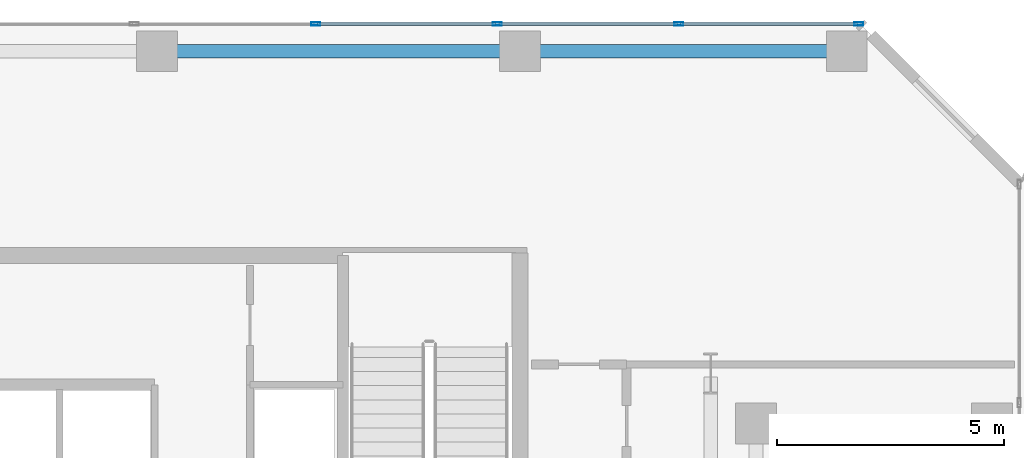
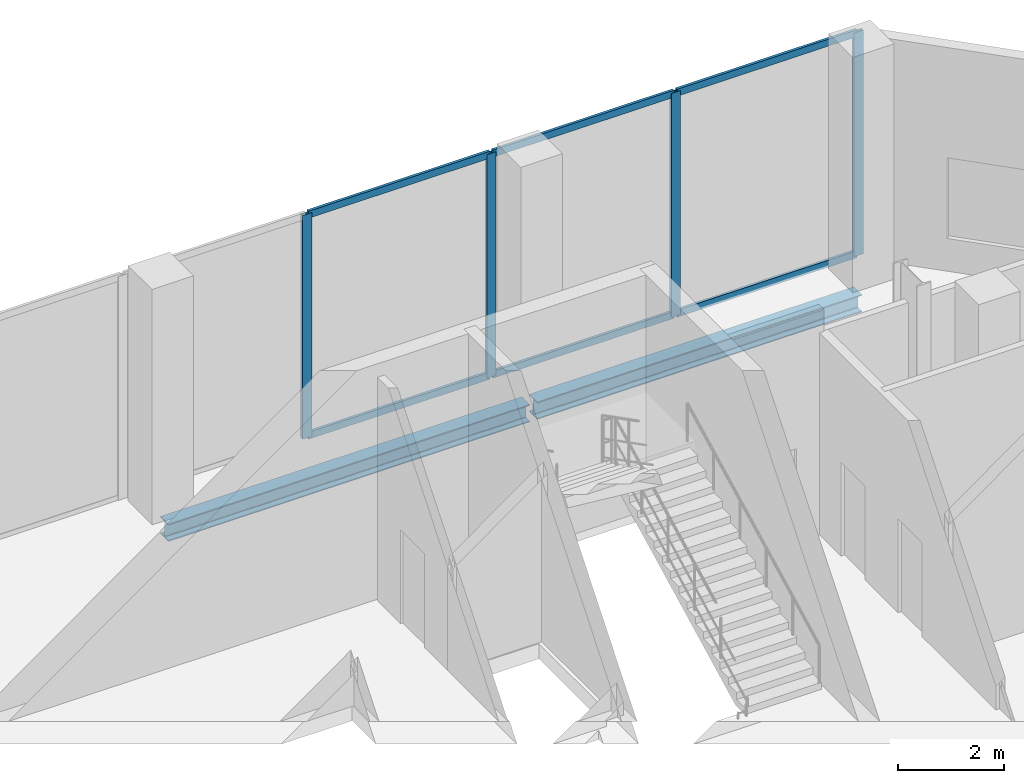
# One storey, part 17 of 24: 10 members, 2 beams, 1 element without a shape of its own.
"""IFC4 building model written with IfcOpenShell, lengths in metres."""

from ifc_helpers import new_model, si_unit, direction, frame, origin, origin_2d, place, context, subcontext, project, spatial, hollow_rectangle, i_section, extrude, material, layer, layer_set, material_profile, profile_set, type_object, element, aggregate, save


model = new_model("IFC4")

# Units and contexts
model_context = context("Model", 3, precision=1e-05, world=origin(), true_north=direction((0.0, 1.0)))
body_context = subcontext(model_context, "Body", "Model", "MODEL_VIEW")
ifc_project = project(units=[si_unit("LENGTHUNIT", "METRE"), si_unit("AREAUNIT", "SQUARE_METRE"), si_unit("VOLUMEUNIT", "CUBIC_METRE"), si_unit("PLANEANGLEUNIT", "RADIAN"), si_unit("MASSUNIT", "GRAM", prefix="KILO")], contexts=[model_context])

# Site, building, storey
site_placement = place(None, origin())
site = spatial("IfcSite", under=ifc_project, at=site_placement, CompositionType="ELEMENT")
building_placement = place(site_placement, origin())
building = spatial("IfcBuilding", under=site, at=building_placement, Name="Catumbela Crestline Tower", CompositionType="ELEMENT")
storey_placement = place(building_placement, frame((0.0, 0.0, 84.6)))
storey = spatial("IfcBuildingStorey", under=building, at=storey_placement, Name="L21", CompositionType="ELEMENT", Elevation=84.6)

# Curtain wall, members
ifc_material_1 = material(Name="Aluminium alloy AW-6060-T66", Category="aluminium")
ifc_layer = layer(ifc_material_1, 0.18, Name="Aluminium alloy AW-6060-T66")
ifc_layer_set = layer_set([ifc_layer], Name="Aluminium alloy AW-6060-T66")
curtain_wall_type = type_object("IfcCurtainWallType", Name="CWU-SKY", PredefinedType="USERDEFINED", material=ifc_layer_set)
curtain_wall_placement = place(storey_placement, origin())
curtain_wall = element("IfcCurtainWall", 1, at=curtain_wall_placement, inside=storey, type_object=curtain_wall_type, Name="L21 Unitised Curtain Wall CW-L21-E7S1", ObjectType="UNITISED", PredefinedType="USERDEFINED")
ifc_material_profile_1 = material_profile(ifc_material_1, hollow_rectangle(XDim=0.075, YDim=0.2, WallThickness=0.005, at=origin_2d()), Name="ALU 200x75x5")
ifc_profile_set_1 = profile_set([ifc_material_profile_1], Name="Aluminium alloy AW-6060-T66")
member_type_1 = type_object("IfcMemberType", Name="MUL-200X75", PredefinedType="MULLION", material=ifc_profile_set_1)
member_1_placement = place(storey_placement, frame((47.4675, 48.0, 0.0), z_axis=(0.0, 0.0, 1.0), x_axis=(0.0, -1.0, 0.0)))
member_1 = element("IfcMember", 2, at=member_1_placement, type_object=member_type_1, Name="CWU-SKY mullion 1", PredefinedType="MULLION", context=body_context, shape_type="SweptSolid", body=[
    extrude(hollow_rectangle(XDim=0.075, YDim=0.2, WallThickness=0.005, at=origin_2d()), origin(), (0.0, 0.0, 1.0), 5.13),
])
member_2_placement = place(storey_placement, frame((43.5, 48.0, 0.0), z_axis=(0.0, 0.0, 1.0), x_axis=(0.0, -1.0, 0.0)))
member_2 = element("IfcMember", 3, at=member_2_placement, type_object=member_type_1, Name="CWU-SKY mullion 2", PredefinedType="MULLION", context=body_context, shape_type="SweptSolid", body=[
    extrude(hollow_rectangle(XDim=0.075, YDim=0.2, WallThickness=0.005, at=origin_2d()), origin(), (0.0, 0.0, 1.0), 5.13),
])
member_3_placement = place(storey_placement, frame((39.5, 48.0, 0.0), z_axis=(0.0, 0.0, 1.0), x_axis=(0.0, -1.0, 0.0)))
member_3 = element("IfcMember", 4, at=member_3_placement, type_object=member_type_1, Name="CWU-SKY mullion 3", PredefinedType="MULLION", context=body_context, shape_type="SweptSolid", body=[
    extrude(hollow_rectangle(XDim=0.075, YDim=0.2, WallThickness=0.005, at=origin_2d()), origin(), (0.0, 0.0, 1.0), 5.13),
])
member_4_placement = place(storey_placement, frame((35.5, 48.0, 0.0), z_axis=(0.0, 0.0, 1.0), x_axis=(0.0, -1.0, 0.0)))
member_4 = element("IfcMember", 5, at=member_4_placement, type_object=member_type_1, Name="CWU-SKY mullion 4", PredefinedType="MULLION", context=body_context, shape_type="SweptSolid", body=[
    extrude(hollow_rectangle(XDim=0.075, YDim=0.2, WallThickness=0.005, at=origin_2d()), origin(), (0.0, 0.0, 1.0), 5.13),
])

# Beams
ifc_material_2 = material(Name="Structural steel S355J2", Category="steel")
ifc_material_profile_2 = material_profile(ifc_material_2, i_section(OverallWidth=0.3, OverallDepth=0.4, WebThickness=0.0135, FlangeThickness=0.024, FilletRadius=0.027, at=origin_2d()), Name="HEB 400")
ifc_profile_set_2 = profile_set([ifc_material_profile_2], Name="Structural steel S355J2")
beam_type = type_object("IfcBeamType", Name="BS-HEB400", PredefinedType="SPANDREL", material=ifc_profile_set_2)
beam_1_placement = place(storey_placement, frame((32.08, 47.4, -0.55), z_axis=(1.0, 0.0, 0.0), x_axis=(0.0, 1.0, 0.0)))
element("IfcBeam", 6, at=beam_1_placement, inside=storey, type_object=beam_type, Name="L21 Spandrel SP-L21-NF20", PredefinedType="SPANDREL", context=body_context, shape_type="SweptSolid", body=[
    extrude(i_section(OverallWidth=0.3, OverallDepth=0.4, WebThickness=0.0135, FlangeThickness=0.024, FilletRadius=0.027, at=origin_2d()), origin(), (0.0, 0.0, 1.0), 7.84),
])
beam_2_placement = place(storey_placement, frame((40.08, 47.4, -0.55), z_axis=(1.0, 0.0, 0.0), x_axis=(0.0, 1.0, 0.0)))
element("IfcBeam", 7, at=beam_2_placement, inside=storey, type_object=beam_type, Name="L21 Spandrel SP-L21-NF21", PredefinedType="SPANDREL", context=body_context, shape_type="SweptSolid", body=[
    extrude(i_section(OverallWidth=0.3, OverallDepth=0.4, WebThickness=0.0135, FlangeThickness=0.024, FilletRadius=0.027, at=origin_2d()), origin(), (0.0, 0.0, 1.0), 7.04),
])

# Member
ifc_material_profile_3 = material_profile(ifc_material_1, hollow_rectangle(XDim=0.06, YDim=0.16, WallThickness=0.004, at=origin_2d()), Name="ALU 160x60x4")
ifc_profile_set_3 = profile_set([ifc_material_profile_3], Name="Aluminium alloy AW-6060-T66")
member_type_2 = type_object("IfcMemberType", Name="TRN-160X60", PredefinedType="USERDEFINED", material=ifc_profile_set_3)
member_5_placement = place(storey_placement, frame((47.435, 48.0, 0.03), z_axis=(-1.0, 0.0, 0.0), x_axis=(0.0, -1.0, 0.0)))
member_5 = element("IfcMember", 8, at=member_5_placement, type_object=member_type_2, Name="CWU-SKY transom 1.1", ObjectType="TRANSOM", PredefinedType="USERDEFINED", context=body_context, shape_type="SweptSolid", body=[
    extrude(hollow_rectangle(XDim=0.06, YDim=0.16, WallThickness=0.004, at=origin_2d()), origin(), (0.0, 0.0, 1.0), 3.9025),
])

member_6_placement = place(storey_placement, frame((47.435, 48.0, 5.1), z_axis=(-1.0, 0.0, 0.0), x_axis=(0.0, -1.0, 0.0)))
member_6 = element("IfcMember", 9, at=member_6_placement, type_object=member_type_2, Name="CWU-SKY transom 1.2", ObjectType="TRANSOM", PredefinedType="USERDEFINED", context=body_context, shape_type="SweptSolid", body=[
    extrude(hollow_rectangle(XDim=0.06, YDim=0.16, WallThickness=0.004, at=origin_2d()), origin(), (0.0, 0.0, 1.0), 3.9025),
])

member_7_placement = place(storey_placement, frame((43.4675, 48.0, 0.03), z_axis=(-1.0, 0.0, 0.0), x_axis=(0.0, -1.0, 0.0)))
member_7 = element("IfcMember", 10, at=member_7_placement, type_object=member_type_2, Name="CWU-SKY transom 2.1", ObjectType="TRANSOM", PredefinedType="USERDEFINED", context=body_context, shape_type="SweptSolid", body=[
    extrude(hollow_rectangle(XDim=0.06, YDim=0.16, WallThickness=0.004, at=origin_2d()), origin(), (0.0, 0.0, 1.0), 3.935),
])

member_8_placement = place(storey_placement, frame((43.4675, 48.0, 5.1), z_axis=(-1.0, 0.0, 0.0), x_axis=(0.0, -1.0, 0.0)))
member_8 = element("IfcMember", 11, at=member_8_placement, type_object=member_type_2, Name="CWU-SKY transom 2.2", ObjectType="TRANSOM", PredefinedType="USERDEFINED", context=body_context, shape_type="SweptSolid", body=[
    extrude(hollow_rectangle(XDim=0.06, YDim=0.16, WallThickness=0.004, at=origin_2d()), origin(), (0.0, 0.0, 1.0), 3.935),
])

member_9_placement = place(storey_placement, frame((39.4675, 48.0, 0.03), z_axis=(-1.0, 0.0, 0.0), x_axis=(0.0, -1.0, 0.0)))
member_9 = element("IfcMember", 12, at=member_9_placement, type_object=member_type_2, Name="CWU-SKY transom 3.1", ObjectType="TRANSOM", PredefinedType="USERDEFINED", context=body_context, shape_type="SweptSolid", body=[
    extrude(hollow_rectangle(XDim=0.06, YDim=0.16, WallThickness=0.004, at=origin_2d()), origin(), (0.0, 0.0, 1.0), 3.935),
])

member_10_placement = place(storey_placement, frame((39.4675, 48.0, 5.1), z_axis=(-1.0, 0.0, 0.0), x_axis=(0.0, -1.0, 0.0)))
member_10 = element("IfcMember", 13, at=member_10_placement, type_object=member_type_2, Name="CWU-SKY transom 3.2", ObjectType="TRANSOM", PredefinedType="USERDEFINED", context=body_context, shape_type="SweptSolid", body=[
    extrude(hollow_rectangle(XDim=0.06, YDim=0.16, WallThickness=0.004, at=origin_2d()), origin(), (0.0, 0.0, 1.0), 3.935),
])

aggregate(curtain_wall, [member_1, member_2, member_3, member_4, member_5, member_6, member_7, member_8, member_9, member_10])

save(model, "model.ifc")
